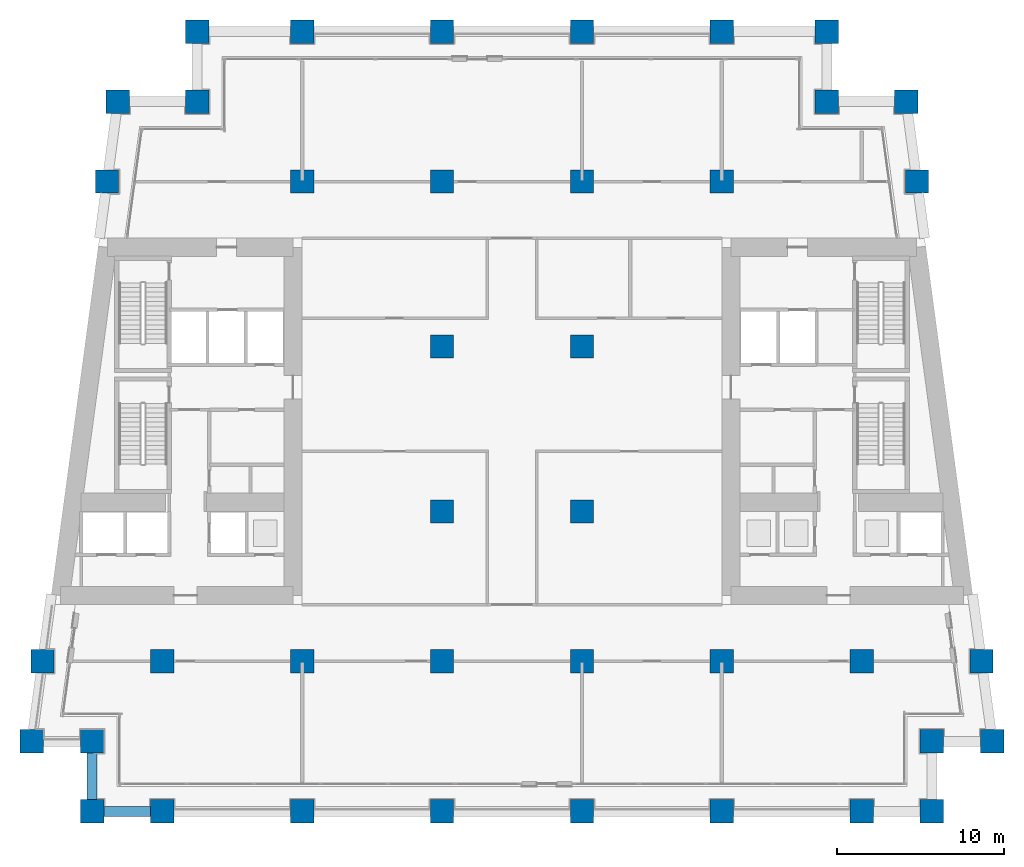
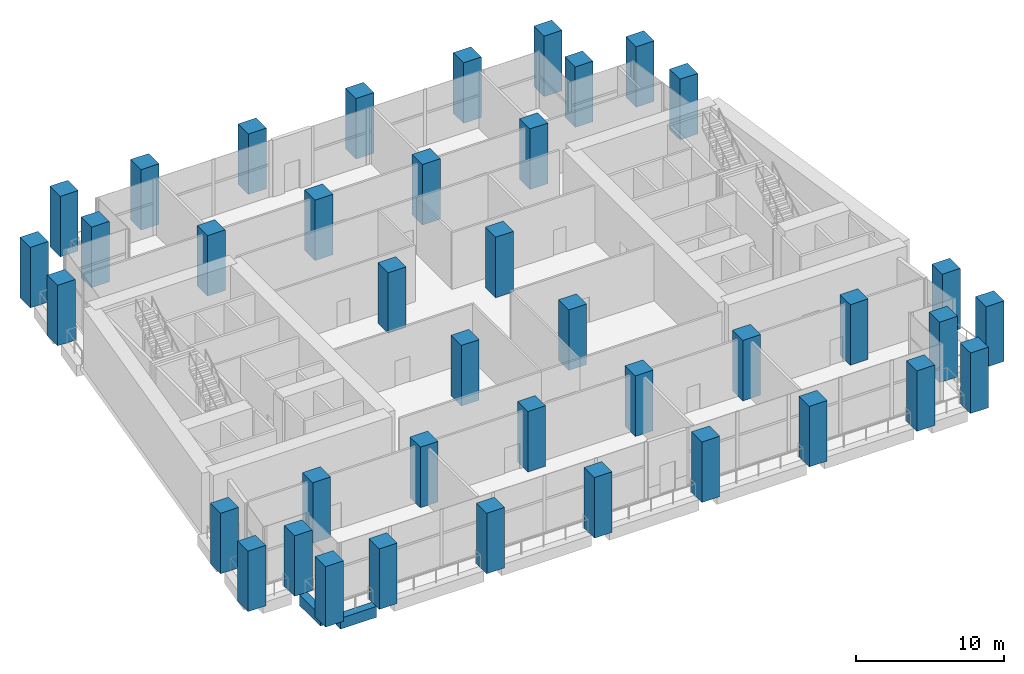
# One storey, part 1 of 15: 40 columns, 2 beams.
"""IFC4 building model written with IfcOpenShell, lengths in metres."""

from ifc_helpers import new_model, si_unit, direction, frame, origin, origin_2d, place, context, subcontext, project, spatial, rectangle, extrude, material, material_profile, profile_set, type_object, element, save


model = new_model("IFC4")

# Units and contexts
model_context = context("Model", 3, precision=1e-05, world=origin(), true_north=direction((0.0, 1.0)))
body_context = subcontext(model_context, "Body", "Model", "MODEL_VIEW")
ifc_project = project(units=[si_unit("LENGTHUNIT", "METRE"), si_unit("AREAUNIT", "SQUARE_METRE"), si_unit("VOLUMEUNIT", "CUBIC_METRE"), si_unit("PLANEANGLEUNIT", "RADIAN"), si_unit("MASSUNIT", "GRAM", prefix="KILO")], contexts=[model_context])

# Site, building, storey
site_placement = place(None, origin())
site = spatial("IfcSite", under=ifc_project, at=site_placement, CompositionType="ELEMENT")
building_placement = place(site_placement, origin())
building = spatial("IfcBuilding", under=site, at=building_placement, Name="Candeia Pilgrim Tower and Theatre", CompositionType="ELEMENT")
storey_placement = place(building_placement, frame((0.0, 0.0, 86.0)))
storey = spatial("IfcBuildingStorey", under=building, at=storey_placement, Name="L19", CompositionType="ELEMENT", Elevation=86.0)

# Columns
ifc_material = material(Name="Concrete C80/95", Category="concrete")
ifc_material_profile_1 = material_profile(ifc_material, rectangle(XDim=1.39990234375, YDim=1.39990234375, at=origin_2d()))
ifc_profile_set_1 = profile_set([ifc_material_profile_1], Name="Concrete C80/95")
column_type = type_object("IfcColumnType", Name="RC 1400x1400 C80/95", PredefinedType="COLUMN", material=ifc_profile_set_1)
for number, where, z_axis, x_axis, name in (
    (1, (92.39990234375, 98.0, 0.0), (0.0, 0.0, 1.0), (1.0, 0.0, 0.0), "Column A1"),
    (2, (100.800048828125, 98.0, 0.0), (0.0, 0.0, 1.0), (1.0, 0.0, 0.0), "Column A2"),
    (3, (109.199951171875, 98.0, 0.0), (0.0, 0.0, 1.0), (1.0, 0.0, 0.0), "Column A3"),
    (4, (117.60009765625, 98.0, 0.0), (0.0, 0.0, 1.0), (1.0, 0.0, 0.0), "Column A4"),
    (5, (126.0, 98.0, 0.0), (0.0, 0.0, 1.0), (1.0, 0.0, 0.0), "Column A5"),
    (6, (134.39990234375, 98.0, 0.0), (0.0, 0.0, 1.0), (1.0, 0.0, 0.0), "Column A6"),
    (7, (88.199951171875, 98.0, 0.0), (0.0, 0.0, 1.0), (1.0, 0.0, 0.0), "Column AW"),
    (8, (138.60009765625, 98.0, 0.0), (0.0, 0.0, 1.0), (1.0, 0.0, 0.0), "Column AE"),
    (9, (88.199951171875, 102.199951171875, 0.0), (0.0, 0.0, 1.0), (1.0, 0.0, 0.0), "Column NSW"),
    (10, (138.60009765625, 102.199951171875, 0.0), (0.0, 0.0, 1.0), (1.0, 0.0, 0.0), "Column NSE"),
    (11, (94.5, 140.60009765625, 0.0), (0.0, 0.0, 1.0), (1.0, 0.0, 0.0), "Column NNW"),
    (12, (132.300048828125, 140.60009765625, 0.0), (0.0, 0.0, 1.0), (1.0, 0.0, 0.0), "Column NNE"),
    (13, (84.5654296875, 102.199951171875, 0.0), (0.0, 0.0, 1.0), (1.0, 0.0, 0.0), "Column LSW"),
    (14, (142.234619140625, 102.199951171875, 0.0), (0.0, 0.0, 1.0), (1.0, 0.0, 0.0), "Column LSE"),
    (15, (89.734619140625, 140.60009765625, 0.0), (0.0, 0.0, 1.0), (1.0, 0.0, 0.0), "Column LNW"),
    (16, (137.0654296875, 140.60009765625, 0.0), (0.0, 0.0, 1.0), (1.0, 0.0, 0.0), "Column LNE"),
    (17, (92.39990234375, 107.0, 0.0), (0.0, 0.0, 1.0), (1.0, 0.0, 0.0), "Column B1"),
    (18, (100.800048828125, 107.0, 0.0), (0.0, 0.0, 1.0), (1.0, 0.0, 0.0), "Column B2"),
    (19, (109.199951171875, 107.0, 0.0), (0.0, 0.0, 1.0), (1.0, 0.0, 0.0), "Column B3"),
    (20, (117.60009765625, 107.0, 0.0), (0.0, 0.0, 1.0), (1.0, 0.0, 0.0), "Column B4"),
    (21, (126.0, 107.0, 0.0), (0.0, 0.0, 1.0), (1.0, 0.0, 0.0), "Column B5"),
    (22, (134.39990234375, 107.0, 0.0), (0.0, 0.0, 1.0), (1.0, 0.0, 0.0), "Column B6"),
    (23, (85.21142578125, 107.0, 0.0), (0.0, 0.0, 1.0), (1.0, 0.0, 0.0), "Column BW"),
    (24, (141.58837890625, 107.0, 0.0), (0.0, 0.0, 1.0), (1.0, 0.0, 0.0), "Column BE"),
    (25, (109.199951171875, 116.0, 0.0), (0.0, 0.0, 1.0), (1.0, 0.0, 0.0), "Column C3"),
    (26, (117.60009765625, 116.0, 0.0), (0.0, 0.0, 1.0), (1.0, 0.0, 0.0), "Column C4"),
    (27, (109.199951171875, 125.89990234375, 0.0), (0.0, 0.0, 1.0), (1.0, 0.0, 0.0), "Column D3"),
    (28, (117.60009765625, 125.89990234375, 0.0), (0.0, 0.0, 1.0), (1.0, 0.0, 0.0), "Column D4"),
    (29, (100.800048828125, 135.800048828125, 0.0), (0.0, 0.0, 1.0), (1.0, 0.0, 0.0), "Column E2"),
    (30, (109.199951171875, 135.800048828125, 0.0), (0.0, 0.0, 1.0), (1.0, 0.0, 0.0), "Column E3"),
    (31, (117.60009765625, 135.800048828125, 0.0), (0.0, 0.0, 1.0), (1.0, 0.0, 0.0), "Column E4"),
    (32, (126.0, 135.800048828125, 0.0), (0.0, 0.0, 1.0), (1.0, 0.0, 0.0), "Column E5"),
    (33, (89.08837890625, 135.800048828125, 0.0), (0.0, 0.0, 1.0), (1.0, 0.0, 0.0), "Column EW"),
    (34, (137.71142578125, 135.800048828125, 0.0), (0.0, 0.0, 1.0), (1.0, 0.0, 0.0), "Column EE"),
    (35, (100.800048828125, 144.800048828125, 0.0), (0.0, 0.0, 1.0), (1.0, 0.0, 0.0), "Column F2"),
    (36, (109.199951171875, 144.800048828125, 0.0), (0.0, 0.0, 1.0), (1.0, 0.0, 0.0), "Column F3"),
    (37, (117.60009765625, 144.800048828125, 0.0), (0.0, 0.0, 1.0), (1.0, 0.0, 0.0), "Column F4"),
    (38, (126.0, 144.800048828125, 0.0), (0.0, 0.0, 1.0), (1.0, 0.0, 0.0), "Column F5"),
    (39, (94.5, 144.800048828125, 0.0), (0.0, 0.0, 1.0), (1.0, 0.0, 0.0), "Column FW"),
    (40, (132.300048828125, 144.800048828125, 0.0), (0.0, 0.0, 1.0), (1.0, 0.0, 0.0), "Column FE"),
):
    element("IfcColumn", number, at=place(storey_placement, frame(where, z_axis=z_axis, x_axis=x_axis)), inside=storey, type_object=column_type, Name=name, PredefinedType="COLUMN", context=body_context, shape_type="SweptSolid", body=[
        extrude(rectangle(XDim=1.39990234375, YDim=1.39990234375, at=origin_2d()), origin(), (0.0, 0.0, 1.0), 5.0),
    ])

# Beams
ifc_material_profile_2 = material_profile(ifc_material, rectangle(XDim=0.60009765625, YDim=0.89990234375, at=origin_2d()))
ifc_profile_set_2 = profile_set([ifc_material_profile_2], Name="Concrete C80/95")
beam_type = type_object("IfcBeamType", Name="RC 600x900 C80/95", PredefinedType="BEAM", material=ifc_profile_set_2)
for number, where, z_axis, x_axis, name in (
    (41, (88.89990234375, 98.0, -0.449951171875), (1.0, 0.0, 0.0), (0.0, 1.0, 0.0), "Spandrel beam L19-01"),
    (42, (88.199951171875, 101.5, -0.449951171875), (0.0, -1.0, 0.0), (1.0, 0.0, 0.0), "Spandrel beam L19-28"),
):
    element("IfcBeam", number, at=place(storey_placement, frame(where, z_axis=z_axis, x_axis=x_axis)), inside=storey, type_object=beam_type, Name=name, PredefinedType="BEAM", context=body_context, shape_type="SweptSolid", body=[
        extrude(rectangle(XDim=0.60009765625, YDim=0.89990234375, at=origin_2d()), origin(), (0.0, 0.0, 1.0), 2.800048828125),
    ])

save(model, "model.ifc")
